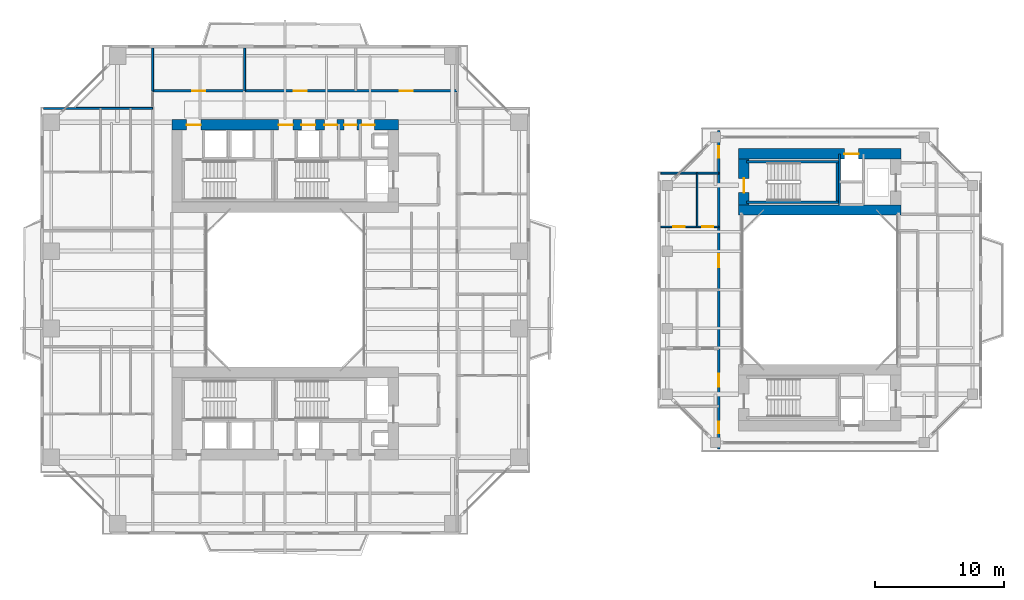
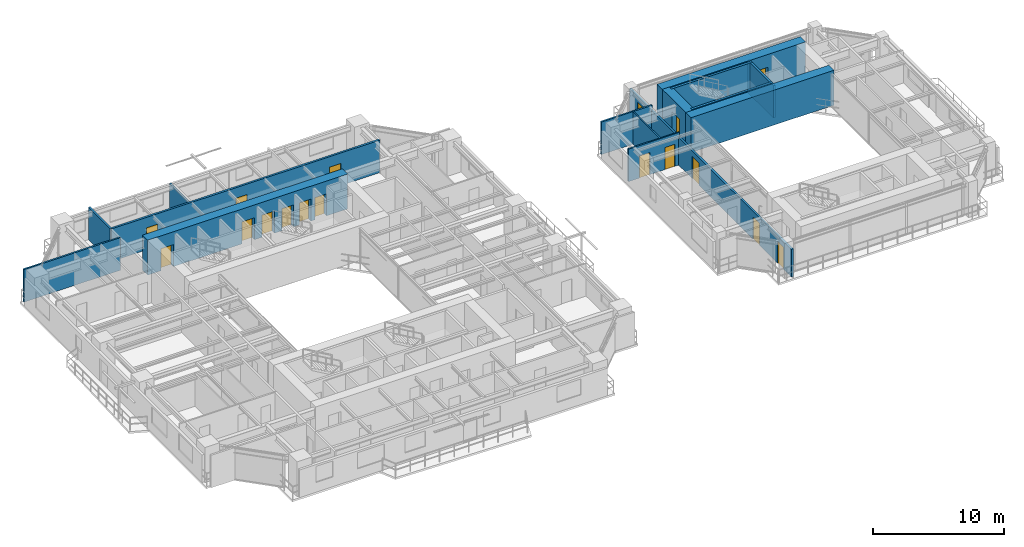
# One storey, part 16 of 23: 17 doors, 16 walls, 17 openings.
"""IFC4 building model written with IfcOpenShell, lengths in metres."""

from ifc_helpers import new_model, si_unit, direction, frame, frame_2d, origin, place, context, subcontext, project, spatial, rectangle, extrude, source, transform, mapped, material, layer, layer_set, type_object, element, fill, save


model = new_model("IFC4")

# Units and contexts
model_context = context("Model", 3, precision=1e-05, world=origin(), true_north=direction((0.0, 1.0)))
body_context = subcontext(model_context, "Body", "Model", "MODEL_VIEW")
ifc_project = project(units=[si_unit("LENGTHUNIT", "METRE"), si_unit("AREAUNIT", "SQUARE_METRE"), si_unit("VOLUMEUNIT", "CUBIC_METRE"), si_unit("PLANEANGLEUNIT", "RADIAN"), si_unit("MASSUNIT", "GRAM", prefix="KILO"), si_unit("THERMODYNAMICTEMPERATUREUNIT", "KELVIN"), si_unit("POWERUNIT", "WATT")], contexts=[model_context])

# Site, building, storey
site_placement = place(None, origin())
site = spatial("IfcSite", under=ifc_project, at=site_placement, CompositionType="ELEMENT")
building_placement = place(site_placement, origin())
building = spatial("IfcBuilding", under=site, at=building_placement, Name="Qiaomeng Ring Towers", CompositionType="ELEMENT")
storey_placement = place(building_placement, frame((0.0, 0.0, 89.25)))
storey = spatial("IfcBuildingStorey", under=building, at=storey_placement, Name="L25", CompositionType="ELEMENT", Elevation=89.25)

# Wall, openings, doors
ifc_material_1 = material(Name="Autoclaved aerated concrete block", Category="concrete")
ifc_layer_1 = layer(ifc_material_1, 0.179931640625, Name="Autoclaved aerated concrete block")
ifc_layer_set_1 = layer_set([ifc_layer_1], Name="Autoclaved aerated concrete block")
wall_type_1 = type_object("IfcWallType", Name="ARC-WL-PW2", PredefinedType="PARTITIONING", material=ifc_layer_set_1)
wall_1_placement = place(storey_placement, frame((8.719970703125, 38.43994140625, 0.0), z_axis=(0.0, 0.0, 1.0), x_axis=(1.0, 0.0, 0.0)))
wall_1 = element("IfcWall", 1, at=wall_1_placement, inside=storey, type_object=wall_type_1, Name="L25 Interior Wall PW2", PredefinedType="PARTITIONING", context=body_context, shape_type="SweptSolid", body=[
    extrude(rectangle(XDim=23.630126953125, YDim=0.179931640625, at=frame_2d((11.81494140625, 0.0))), origin(), (0.0, 0.0, 1.0), 3.030029296875),
])
opening_1_placement = place(wall_1_placement, frame((3.06494140625, 0.0, 0.0)))
opening_1 = element("IfcOpeningElement", 2, at=opening_1_placement, cuts=wall_1, Name="Opening FD4", PredefinedType="OPENING", context=body_context, shape_type="SweptSolid", body=[
    extrude(rectangle(XDim=1.0, YDim=2.050048828125, at=frame_2d((0.5, 1.02490234375))), frame((0.0, 0.099853515625, 0.0), z_axis=(0.0, -1.0, 0.0), x_axis=(1.0, 0.0, 0.0)), (0.0, 0.0, 1.0), 0.199951171875),
])
opening_2_placement = place(wall_1_placement, frame((10.93994140625, 0.0, 0.0)))
opening_2 = element("IfcOpeningElement", 3, at=opening_2_placement, cuts=wall_1, Name="Opening FD4", PredefinedType="OPENING", context=body_context, shape_type="SweptSolid", body=[
    extrude(rectangle(XDim=1.0, YDim=2.050048828125, at=frame_2d((0.5, 1.02490234375))), frame((0.0, 0.099853515625, 0.0), z_axis=(0.0, -1.0, 0.0), x_axis=(1.0, 0.0, 0.0)), (0.0, 0.0, 1.0), 0.199951171875),
])
opening_3_placement = place(wall_1_placement, frame((19.18994140625, 0.0, 0.0)))
opening_3 = element("IfcOpeningElement", 4, at=opening_3_placement, cuts=wall_1, Name="Opening FD4", PredefinedType="OPENING", context=body_context, shape_type="SweptSolid", body=[
    extrude(rectangle(XDim=1.0, YDim=2.050048828125, at=frame_2d((0.5, 1.02490234375))), frame((0.0, 0.099853515625, 0.0), z_axis=(0.0, -1.0, 0.0), x_axis=(1.0, 0.0, 0.0)), (0.0, 0.0, 1.0), 0.199951171875),
])
ifc_material_2 = material(Name="Engineered fire-rated oak timber", Category="wood")
door_type_1 = type_object("IfcDoorType", Name="ARC-DR-FD4", OperationType="NOTDEFINED", PredefinedType="DOOR", material=ifc_material_2)
shared_shape_1 = source(origin(), body_context, "Body", "SweptSolid", [
    extrude(rectangle(XDim=1.0, YDim=2.050048828125, at=frame_2d((0.5, 1.02490234375))), frame((0.0, 0.02490234375, 0.0), z_axis=(0.0, -1.0, 0.0), x_axis=(1.0, 0.0, 0.0)), (0.0, 0.0, 1.0), 0.050048828125),
])
door_1_placement = place(opening_1_placement, origin())
door_1 = element("IfcDoor", 5, at=door_1_placement, inside=storey, type_object=door_type_1, Name="L25 Door FD4", OperationType="SINGLE_SWING_LEFT", OverallHeight=2.050048828125, OverallWidth=1.0, PredefinedType="DOOR", context=body_context, shape_type="MappedRepresentation", body=[
    mapped(shared_shape_1, transform((0.0, 0.0, 0.0), x_axis=(1.0, 0.0, 0.0), y_axis=(0.0, 1.0, 0.0), z_axis=(0.0, 0.0, 1.0), scale=1.0)),
])
fill(opening_1, door_1)
door_2_placement = place(opening_2_placement, origin())
door_2 = element("IfcDoor", 6, at=door_2_placement, inside=storey, type_object=door_type_1, Name="L25 Door FD4", OperationType="SINGLE_SWING_RIGHT", OverallHeight=2.050048828125, OverallWidth=1.0, PredefinedType="DOOR", context=body_context, shape_type="MappedRepresentation", body=[
    mapped(shared_shape_1, transform((0.0, 0.0, 0.0), x_axis=(1.0, 0.0, 0.0), y_axis=(0.0, 1.0, 0.0), z_axis=(0.0, 0.0, 1.0), scale=1.0)),
])
fill(opening_2, door_2)
door_3_placement = place(opening_3_placement, origin())
door_3 = element("IfcDoor", 7, at=door_3_placement, inside=storey, type_object=door_type_1, Name="L25 Door FD4", OperationType="SINGLE_SWING_LEFT", OverallHeight=2.050048828125, OverallWidth=1.0, PredefinedType="DOOR", context=body_context, shape_type="MappedRepresentation", body=[
    mapped(shared_shape_1, transform((0.0, 0.0, 0.0), x_axis=(1.0, 0.0, 0.0), y_axis=(0.0, 1.0, 0.0), z_axis=(0.0, 0.0, 1.0), scale=1.0)),
])
fill(opening_3, door_3)

wall_2_placement = place(storey_placement, frame((52.64990234375, 10.64990234375, 0.0), z_axis=(0.0, 0.0, 1.0), x_axis=(0.0, 1.0, 0.0)))
wall_2 = element("IfcWall", 8, at=wall_2_placement, inside=storey, type_object=wall_type_1, Name="L25 Interior Wall PW2", PredefinedType="PARTITIONING", context=body_context, shape_type="SweptSolid", body=[
    extrude(rectangle(XDim=24.7001953125, YDim=0.179931640625, at=frame_2d((12.35009765625, 0.0))), origin(), (0.0, 0.0, 1.0), 2.574951171875),
])
opening_4_placement = place(wall_2_placement, frame((22.580078125, 0.0, 0.0)))
opening_4 = element("IfcOpeningElement", 9, at=opening_4_placement, cuts=wall_2, Name="Opening ID1", PredefinedType="OPENING", context=body_context, shape_type="SweptSolid", body=[
    extrude(rectangle(XDim=0.89990234375, YDim=2.050048828125, at=frame_2d((0.449951171875, 1.02490234375))), frame((0.0, 0.099853515625, 0.0), z_axis=(0.0, -1.0, 0.0), x_axis=(1.0, 0.0, 0.0)), (0.0, 0.0, 1.0), 0.199951171875),
])
opening_5_placement = place(wall_2_placement, frame((1.219970703125, 0.0, 0.0)))
opening_5 = element("IfcOpeningElement", 10, at=opening_5_placement, cuts=wall_2, Name="Opening ID1", PredefinedType="OPENING", context=body_context, shape_type="SweptSolid", body=[
    extrude(rectangle(XDim=0.89990234375, YDim=2.050048828125, at=frame_2d((0.449951171875, 1.02490234375))), frame((0.0, 0.099853515625, 0.0), z_axis=(0.0, -1.0, 0.0), x_axis=(1.0, 0.0, 0.0)), (0.0, 0.0, 1.0), 0.199951171875),
])
opening_6_placement = place(wall_2_placement, frame((4.844970703125, 0.0, 0.0)))
opening_6 = element("IfcOpeningElement", 11, at=opening_6_placement, cuts=wall_2, Name="Opening FD4", PredefinedType="OPENING", context=body_context, shape_type="SweptSolid", body=[
    extrude(rectangle(XDim=1.0, YDim=2.050048828125, at=frame_2d((0.5, 1.02490234375))), frame((0.0, 0.099853515625, 0.0), z_axis=(0.0, -1.0, 0.0), x_axis=(1.0, 0.0, 0.0)), (0.0, 0.0, 1.0), 0.199951171875),
])
opening_7_placement = place(wall_2_placement, frame((14.10498046875, 0.0, 0.0)))
opening_7 = element("IfcOpeningElement", 12, at=opening_7_placement, cuts=wall_2, Name="Opening FD4", PredefinedType="OPENING", context=body_context, shape_type="SweptSolid", body=[
    extrude(rectangle(XDim=1.0, YDim=2.050048828125, at=frame_2d((0.5, 1.02490234375))), frame((0.0, 0.099853515625, 0.0), z_axis=(0.0, -1.0, 0.0), x_axis=(1.0, 0.0, 0.0)), (0.0, 0.0, 1.0), 0.199951171875),
])
door_4_placement = place(opening_6_placement, origin())
door_4 = element("IfcDoor", 13, at=door_4_placement, inside=storey, type_object=door_type_1, Name="L25 Door FD4", OperationType="SINGLE_SWING_LEFT", OverallHeight=2.050048828125, OverallWidth=1.0, PredefinedType="DOOR", context=body_context, shape_type="MappedRepresentation", body=[
    mapped(shared_shape_1, transform((0.0, 0.0, 0.0), x_axis=(1.0, 0.0, 0.0), y_axis=(0.0, 1.0, 0.0), z_axis=(0.0, 0.0, 1.0), scale=1.0)),
])
fill(opening_6, door_4)
door_5_placement = place(opening_7_placement, origin())
door_5 = element("IfcDoor", 14, at=door_5_placement, inside=storey, type_object=door_type_1, Name="L25 Door FD4", OperationType="SINGLE_SWING_RIGHT", OverallHeight=2.050048828125, OverallWidth=1.0, PredefinedType="DOOR", context=body_context, shape_type="MappedRepresentation", body=[
    mapped(shared_shape_1, transform((0.0, 0.0, 0.0), x_axis=(1.0, 0.0, 0.0), y_axis=(0.0, 1.0, 0.0), z_axis=(0.0, 0.0, 1.0), scale=1.0)),
])
fill(opening_7, door_5)
ifc_material_3 = material(Name="Engineered oak timber", Category="wood")
door_type_2 = type_object("IfcDoorType", Name="ARC-DR-ID1", OperationType="NOTDEFINED", PredefinedType="DOOR", material=ifc_material_3)
shared_shape_2 = source(origin(), body_context, "Body", "SweptSolid", [
    extrude(rectangle(XDim=0.89990234375, YDim=2.050048828125, at=frame_2d((0.449951171875, 1.02490234375))), frame((0.0, 0.02490234375, 0.0), z_axis=(0.0, -1.0, 0.0), x_axis=(1.0, 0.0, 0.0)), (0.0, 0.0, 1.0), 0.050048828125),
])
door_6_placement = place(opening_4_placement, origin())
door_6 = element("IfcDoor", 15, at=door_6_placement, inside=storey, type_object=door_type_2, Name="L25 Door ID1", OperationType="SINGLE_SWING_LEFT", OverallHeight=2.050048828125, OverallWidth=0.89990234375, PredefinedType="DOOR", context=body_context, shape_type="MappedRepresentation", body=[
    mapped(shared_shape_2, transform((0.0, 0.0, 0.0), x_axis=(1.0, 0.0, 0.0), y_axis=(0.0, 1.0, 0.0), z_axis=(0.0, 0.0, 1.0), scale=1.0)),
])
fill(opening_4, door_6)
door_7_placement = place(opening_5_placement, origin())
door_7 = element("IfcDoor", 16, at=door_7_placement, inside=storey, type_object=door_type_2, Name="L25 Door ID1", OperationType="SINGLE_SWING_RIGHT", OverallHeight=2.050048828125, OverallWidth=0.89990234375, PredefinedType="DOOR", context=body_context, shape_type="MappedRepresentation", body=[
    mapped(shared_shape_2, transform((0.0, 0.0, 0.0), x_axis=(1.0, 0.0, 0.0), y_axis=(0.0, 1.0, 0.0), z_axis=(0.0, 0.0, 1.0), scale=1.0)),
])
fill(opening_5, door_7)

# Walls
ifc_material_4 = material(Name="Gypsum fireboard steel-stud partition", Category="steel")
ifc_layer_2 = layer(ifc_material_4, 0.14990234375, Name="Gypsum fireboard steel-stud partition")
ifc_layer_set_2 = layer_set([ifc_layer_2], Name="Gypsum fireboard steel-stud partition")
wall_type_2 = type_object("IfcWallType", Name="ARC-WL-PW3", PredefinedType="PARTITIONING", material=ifc_layer_set_2)
wall_3_placement = place(storey_placement, frame((15.85009765625, 38.43994140625, 0.0), z_axis=(0.0, 0.0, 1.0), x_axis=(0.0, 1.0, 0.0)))
element("IfcWall", 17, at=wall_3_placement, inside=storey, type_object=wall_type_2, Name="L25 Interior Wall PW3", PredefinedType="PARTITIONING", context=body_context, shape_type="SweptSolid", body=[
    extrude(rectangle(XDim=3.31005859375, YDim=0.14990234375, at=frame_2d((1.655029296875, 0.0))), origin(), (0.0, 0.0, 1.0), 2.72509765625),
])
wall_4_placement = place(storey_placement, frame((8.719970703125, 38.43994140625, 0.0), z_axis=(0.0, 0.0, 1.0), x_axis=(0.0, 1.0, 0.0)))
element("IfcWall", 18, at=wall_4_placement, inside=storey, type_object=wall_type_2, Name="L25 Interior Wall PW3", PredefinedType="PARTITIONING", context=body_context, shape_type="SweptSolid", body=[
    extrude(rectangle(XDim=3.31005859375, YDim=0.14990234375, at=frame_2d((1.655029296875, 0.0))), origin(), (0.0, 0.0, 1.0), 3.030029296875),
])
wall_5_placement = place(storey_placement, frame((0.25, 37.080078125, 0.0), z_axis=(0.0, 0.0, 1.0), x_axis=(1.0, 0.0, 0.0)))
element("IfcWall", 19, at=wall_5_placement, inside=storey, type_object=wall_type_2, Name="L25 Interior Wall PW3", PredefinedType="PARTITIONING", context=body_context, shape_type="SweptSolid", body=[
    extrude(rectangle(XDim=8.469970703125, YDim=0.14990234375, at=frame_2d((4.23486328125, 0.0))), origin(), (0.0, 0.0, 1.0), 3.030029296875),
])
wall_6_placement = place(storey_placement, frame((48.14990234375, 32.050048828125, 0.0), z_axis=(0.0, 0.0, 1.0), x_axis=(1.0, 0.0, 0.0)))
element("IfcWall", 20, at=wall_6_placement, inside=storey, type_object=wall_type_2, Name="L25 Interior Wall PW3", PredefinedType="PARTITIONING", context=body_context, shape_type="SweptSolid", body=[
    extrude(rectangle(XDim=4.5, YDim=0.14990234375, at=frame_2d((2.25, 0.0))), origin(), (0.0, 0.0, 1.0), 3.030029296875),
])

# Wall, openings, doors
ifc_material_5 = material(Name="Moisture-resistant gypsum steel-stud partition", Category="steel")
ifc_layer_3 = layer(ifc_material_5, 0.1201171875, Name="Moisture-resistant gypsum steel-stud partition")
ifc_layer_set_3 = layer_set([ifc_layer_3], Name="Moisture-resistant gypsum steel-stud partition")
wall_type_3 = type_object("IfcWallType", Name="ARC-WL-PW4", PredefinedType="PLUMBINGWALL", material=ifc_layer_set_3)
wall_7_placement = place(storey_placement, frame((48.14990234375, 27.889892578125, 0.0), z_axis=(0.0, 0.0, 1.0), x_axis=(1.0, 0.0, 0.0)))
wall_7 = element("IfcWall", 21, at=wall_7_placement, inside=storey, type_object=wall_type_3, Name="L25 Interior Wall PW4", PredefinedType="PLUMBINGWALL", context=body_context, shape_type="SweptSolid", body=[
    extrude(rectangle(XDim=4.5, YDim=0.1201171875, at=frame_2d((2.25, 0.0))), origin(), (0.0, 0.0, 1.0), 3.030029296875),
])
opening_8_placement = place(wall_7_placement, frame((0.97509765625, 0.0, 0.0)))
opening_8 = element("IfcOpeningElement", 22, at=opening_8_placement, cuts=wall_7, Name="Opening ID1", PredefinedType="OPENING", context=body_context, shape_type="SweptSolid", body=[
    extrude(rectangle(XDim=0.89990234375, YDim=2.050048828125, at=frame_2d((0.449951171875, 1.02490234375))), frame((0.0, 0.070068359375, 0.0), z_axis=(0.0, -1.0, 0.0), x_axis=(1.0, 0.0, 0.0)), (0.0, 0.0, 1.0), 0.14013671875),
])
opening_9_placement = place(wall_7_placement, frame((3.22998046875, 0.0, 0.0)))
opening_9 = element("IfcOpeningElement", 23, at=opening_9_placement, cuts=wall_7, Name="Opening ID2", PredefinedType="OPENING", context=body_context, shape_type="SweptSolid", body=[
    extrude(rectangle(XDim=0.85009765625, YDim=2.050048828125, at=frame_2d((0.425048828125, 1.02490234375))), frame((0.0, 0.070068359375, 0.0), z_axis=(0.0, -1.0, 0.0), x_axis=(1.0, 0.0, 0.0)), (0.0, 0.0, 1.0), 0.14013671875),
])
ifc_material_6 = material(Name="Moisture-resistant engineered timber", Category="wood")
door_type_3 = type_object("IfcDoorType", Name="ARC-DR-ID2", OperationType="NOTDEFINED", PredefinedType="DOOR", material=ifc_material_6)
shared_shape_3 = source(origin(), body_context, "Body", "SweptSolid", [
    extrude(rectangle(XDim=0.85009765625, YDim=2.050048828125, at=frame_2d((0.425048828125, 1.02490234375))), frame((0.0, 0.02490234375, 0.0), z_axis=(0.0, -1.0, 0.0), x_axis=(1.0, 0.0, 0.0)), (0.0, 0.0, 1.0), 0.050048828125),
])
door_8_placement = place(opening_9_placement, origin())
door_8 = element("IfcDoor", 24, at=door_8_placement, inside=storey, type_object=door_type_3, Name="L25 Door ID2", OperationType="SINGLE_SWING_RIGHT", OverallHeight=2.050048828125, OverallWidth=0.85009765625, PredefinedType="DOOR", context=body_context, shape_type="MappedRepresentation", body=[
    mapped(shared_shape_3, transform((0.0, 0.0, 0.0), x_axis=(1.0, 0.0, 0.0), y_axis=(0.0, 1.0, 0.0), z_axis=(0.0, 0.0, 1.0), scale=1.0)),
])
fill(opening_9, door_8)
door_9_placement = place(opening_8_placement, origin())
door_9 = element("IfcDoor", 25, at=door_9_placement, inside=storey, type_object=door_type_2, Name="L25 Door ID1", OperationType="SINGLE_SWING_LEFT", OverallHeight=2.050048828125, OverallWidth=0.89990234375, PredefinedType="DOOR", context=body_context, shape_type="MappedRepresentation", body=[
    mapped(shared_shape_2, transform((0.0, 0.0, 0.0), x_axis=(1.0, 0.0, 0.0), y_axis=(0.0, 1.0, 0.0), z_axis=(0.0, 0.0, 1.0), scale=1.0)),
])
fill(opening_8, door_9)

# Walls
wall_8_placement = place(storey_placement, frame((50.97998046875, 27.889892578125, 0.0), z_axis=(0.0, 0.0, 1.0), x_axis=(0.0, 1.0, 0.0)))
element("IfcWall", 26, at=wall_8_placement, inside=storey, type_object=wall_type_3, Name="L25 Interior Wall PW4", PredefinedType="PLUMBINGWALL", context=body_context, shape_type="SweptSolid", body=[
    extrude(rectangle(XDim=4.16015625, YDim=0.1201171875, at=frame_2d((2.080078125, 0.0))), origin(), (0.0, 0.0, 1.0), 3.030029296875),
])
ifc_material_7 = material(Name="Concrete C40", Category="concrete")
ifc_layer_4 = layer(ifc_material_7, 0.199951171875, Name="Concrete C40")
ifc_layer_set_4 = layer_set([ifc_layer_4], Name="Concrete C40")
wall_type_4 = type_object("IfcWallType", Name="STR-WL-STSHAFT", PredefinedType="SHEAR", material=ifc_layer_set_4)
wall_9_placement = place(storey_placement, frame((62.02001953125, 29.60009765625, 0.0), z_axis=(0.0, 0.0, 1.0), x_axis=(0.0, 1.0, 0.0)))
element("IfcWall", 27, at=wall_9_placement, inside=storey, type_object=wall_type_4, Name="L25 Companion Lift Shaft West Wall N", PredefinedType="SHEAR", context=body_context, shape_type="SweptSolid", body=[
    extrude(rectangle(XDim=3.949951171875, YDim=0.179931640625, at=frame_2d((1.97509765625, 0.0))), origin(), (0.0, 0.0, 1.0), 3.030029296875),
])
for number, where, z_axis, x_axis, name in (
    (28, (54.800048828125, 29.800048828125, 0.0), (0.0, 0.0, 1.0), (1.0, 0.0, 0.0), "L25 Stair ST5 South Shaft Shear Wall"),
    (29, (54.800048828125, 32.93994140625, 0.0), (0.0, 0.0, 1.0), (1.0, 0.0, 0.0), "L25 Stair ST5 North Shaft Shear Wall"),
):
    element("IfcWall", number, at=place(storey_placement, frame(where, z_axis=z_axis, x_axis=x_axis)), inside=storey, type_object=wall_type_4, Name=name, PredefinedType="SHEAR", context=body_context, shape_type="SweptSolid", body=[
        extrude(rectangle(XDim=7.14990234375, YDim=0.199951171875, at=frame_2d((3.574951171875, 0.0))), origin(), (0.0, 0.0, 1.0), 3.25),
    ])
wall_10_placement = place(storey_placement, frame((61.85009765625, 29.89990234375, 0.0), z_axis=(0.0, 0.0, 1.0), x_axis=(0.0, 1.0, 0.0)))
element("IfcWall", 30, at=wall_10_placement, inside=storey, type_object=wall_type_4, Name="L25 Stair ST5 East Shaft Shear Wall", PredefinedType="SHEAR", context=body_context, shape_type="SweptSolid", body=[
    extrude(rectangle(XDim=2.940185546875, YDim=0.199951171875, at=frame_2d((1.47021484375, 0.0))), origin(), (0.0, 0.0, 1.0), 3.25),
])

# Wall, openings, doors
ifc_material_8 = material(Name="Concrete C60", Category="concrete")
ifc_layer_5 = layer(ifc_material_8, 0.800048828125, Name="Concrete C60")
ifc_layer_set_5 = layer_set([ifc_layer_5], Name="Concrete C60")
wall_type_5 = type_object("IfcWallType", Name="STR-WL-SW1", PredefinedType="SHEAR", material=ifc_layer_set_5)
wall_11_placement = place(storey_placement, frame((10.199951171875, 35.800048828125, 0.0), z_axis=(0.0, 0.0, 1.0), x_axis=(1.0, 0.0, 0.0)))
wall_11 = element("IfcWall", 31, at=wall_11_placement, inside=storey, type_object=wall_type_5, Name="L25 T1NC north core shear wall", PredefinedType="SHEAR", context=body_context, shape_type="SweptSolid", body=[
    extrude(rectangle(XDim=17.60009765625, YDim=0.800048828125, at=frame_2d((8.800048828125, 0.0))), origin(), (0.0, 0.0, 1.0), 3.25),
])
opening_10_placement = place(wall_11_placement, frame((1.14990234375, 0.0, 0.0)))
opening_10 = element("IfcOpeningElement", 32, at=opening_10_placement, cuts=wall_11, Name="Opening FD3", PredefinedType="OPENING", context=body_context, shape_type="SweptSolid", body=[
    extrude(rectangle(XDim=1.10009765625, YDim=2.050048828125, at=frame_2d((0.550048828125, 1.02490234375))), frame((0.0, 0.409912109375, 0.0), z_axis=(0.0, -1.0, 0.0), x_axis=(1.0, 0.0, 0.0)), (0.0, 0.0, 1.0), 0.820068359375),
])
opening_11_placement = place(wall_11_placement, frame((8.300048828125, 0.0, 0.0)))
opening_11 = element("IfcOpeningElement", 33, at=opening_11_placement, cuts=wall_11, Name="Opening FD3", PredefinedType="OPENING", context=body_context, shape_type="SweptSolid", body=[
    extrude(rectangle(XDim=1.10009765625, YDim=2.050048828125, at=frame_2d((0.550048828125, 1.02490234375))), frame((0.0, 0.409912109375, 0.0), z_axis=(0.0, -1.0, 0.0), x_axis=(1.0, 0.0, 0.0)), (0.0, 0.0, 1.0), 0.820068359375),
])
opening_12_placement = place(wall_11_placement, frame((10.050048828125, 0.0, 0.0)))
opening_12 = element("IfcOpeningElement", 34, at=opening_12_placement, cuts=wall_11, Name="Opening LD1", PredefinedType="OPENING", context=body_context, shape_type="SweptSolid", body=[
    extrude(rectangle(XDim=1.10009765625, YDim=2.050048828125, at=frame_2d((0.550048828125, 1.02490234375))), frame((0.0, 0.409912109375, 0.0), z_axis=(0.0, -1.0, 0.0), x_axis=(1.0, 0.0, 0.0)), (0.0, 0.0, 1.0), 0.820068359375),
])
opening_13_placement = place(wall_11_placement, frame((14.739990234375, 0.0, 0.0)))
opening_13 = element("IfcOpeningElement", 35, at=opening_13_placement, cuts=wall_11, Name="Opening FD1", PredefinedType="OPENING", context=body_context, shape_type="SweptSolid", body=[
    extrude(rectangle(XDim=1.0, YDim=2.050048828125, at=frame_2d((0.5, 1.02490234375))), frame((0.0, 0.409912109375, 0.0), z_axis=(0.0, -1.0, 0.0), x_axis=(1.0, 0.0, 0.0)), (0.0, 0.0, 1.0), 0.820068359375),
])
opening_14_placement = place(wall_11_placement, frame((11.8349609375, 0.0, 0.0)))
opening_14 = element("IfcOpeningElement", 36, at=opening_14_placement, cuts=wall_11, Name="Opening FD1", PredefinedType="OPENING", context=body_context, shape_type="SweptSolid", body=[
    extrude(rectangle(XDim=1.0, YDim=2.050048828125, at=frame_2d((0.5, 1.02490234375))), frame((0.0, 0.409912109375, 0.0), z_axis=(0.0, -1.0, 0.0), x_axis=(1.0, 0.0, 0.0)), (0.0, 0.0, 1.0), 0.820068359375),
])
opening_15_placement = place(wall_11_placement, frame((13.3701171875, 0.0, 0.0)))
opening_15 = element("IfcOpeningElement", 37, at=opening_15_placement, cuts=wall_11, Name="Opening FD1", PredefinedType="OPENING", context=body_context, shape_type="SweptSolid", body=[
    extrude(rectangle(XDim=1.0, YDim=2.050048828125, at=frame_2d((0.5, 1.02490234375))), frame((0.0, 0.409912109375, 0.0), z_axis=(0.0, -1.0, 0.0), x_axis=(1.0, 0.0, 0.0)), (0.0, 0.0, 1.0), 0.820068359375),
])
ifc_material_9 = material(Name="Galvanised steel", Category="steel")
door_type_4 = type_object("IfcDoorType", Name="ARC-DR-FD3", OperationType="NOTDEFINED", PredefinedType="DOOR", material=ifc_material_9)
shared_shape_4 = source(origin(), body_context, "Body", "SweptSolid", [
    extrude(rectangle(XDim=1.10009765625, YDim=2.050048828125, at=frame_2d((0.550048828125, 1.02490234375))), frame((0.0, 0.02490234375, 0.0), z_axis=(0.0, -1.0, 0.0), x_axis=(1.0, 0.0, 0.0)), (0.0, 0.0, 1.0), 0.050048828125),
])
door_10_placement = place(opening_10_placement, origin())
door_10 = element("IfcDoor", 38, at=door_10_placement, inside=storey, type_object=door_type_4, Name="L25 Stair ST1 Lobby Door", OperationType="SINGLE_SWING_RIGHT", OverallHeight=2.050048828125, OverallWidth=1.10009765625, PredefinedType="DOOR", context=body_context, shape_type="MappedRepresentation", body=[
    mapped(shared_shape_4, transform((0.0, 0.0, 0.0), x_axis=(1.0, 0.0, 0.0), y_axis=(0.0, 1.0, 0.0), z_axis=(0.0, 0.0, 1.0), scale=1.0)),
])
fill(opening_10, door_10)
door_11_placement = place(opening_11_placement, origin())
door_11 = element("IfcDoor", 39, at=door_11_placement, inside=storey, type_object=door_type_4, Name="L25 Stair ST2 Lobby Door", OperationType="SINGLE_SWING_RIGHT", OverallHeight=2.050048828125, OverallWidth=1.10009765625, PredefinedType="DOOR", context=body_context, shape_type="MappedRepresentation", body=[
    mapped(shared_shape_4, transform((0.0, 0.0, 0.0), x_axis=(1.0, 0.0, 0.0), y_axis=(0.0, 1.0, 0.0), z_axis=(0.0, 0.0, 1.0), scale=1.0)),
])
fill(opening_11, door_11)
ifc_material_10 = material(Name="Stainless steel 316", Category="steel")
door_type_5 = type_object("IfcDoorType", Name="ARC-DR-LD1", OperationType="NOTDEFINED", PredefinedType="DOOR", material=ifc_material_10)
door_12_placement = place(opening_12_placement, origin())
door_12 = element("IfcDoor", 40, at=door_12_placement, inside=storey, type_object=door_type_5, Name="L25 Low-Zone Lift LP1 Landing Door", OperationType="SLIDING_TO_LEFT", OverallHeight=2.050048828125, OverallWidth=1.10009765625, PredefinedType="DOOR", context=body_context, shape_type="MappedRepresentation", body=[
    mapped(shared_shape_4, transform((0.0, 0.0, 0.0), x_axis=(1.0, 0.0, 0.0), y_axis=(0.0, 1.0, 0.0), z_axis=(0.0, 0.0, 1.0), scale=1.0)),
])
fill(opening_12, door_12)
door_type_6 = type_object("IfcDoorType", Name="ARC-DR-FD1", OperationType="NOTDEFINED", PredefinedType="DOOR", material=ifc_material_9)
door_13_placement = place(opening_13_placement, origin())
door_13 = element("IfcDoor", 41, at=door_13_placement, inside=storey, type_object=door_type_6, Name="L25 North Electrical Riser Door", OperationType="SINGLE_SWING_RIGHT", OverallHeight=2.050048828125, OverallWidth=1.0, PredefinedType="DOOR", context=body_context, shape_type="MappedRepresentation", body=[
    mapped(shared_shape_1, transform((0.0, 0.0, 0.0), x_axis=(1.0, 0.0, 0.0), y_axis=(0.0, 1.0, 0.0), z_axis=(0.0, 0.0, 1.0), scale=1.0)),
])
fill(opening_13, door_13)
door_14_placement = place(opening_14_placement, origin())
door_14 = element("IfcDoor", 42, at=door_14_placement, inside=storey, type_object=door_type_6, Name="L25 North Cleaners Store Door", OperationType="SINGLE_SWING_RIGHT", OverallHeight=2.050048828125, OverallWidth=1.0, PredefinedType="DOOR", context=body_context, shape_type="MappedRepresentation", body=[
    mapped(shared_shape_1, transform((0.0, 0.0, 0.0), x_axis=(1.0, 0.0, 0.0), y_axis=(0.0, 1.0, 0.0), z_axis=(0.0, 0.0, 1.0), scale=1.0)),
])
fill(opening_14, door_14)
door_15_placement = place(opening_15_placement, origin())
door_15 = element("IfcDoor", 43, at=door_15_placement, inside=storey, type_object=door_type_6, Name="L25 North Beverage Pantry Door", OperationType="SINGLE_SWING_LEFT", OverallHeight=2.050048828125, OverallWidth=1.0, PredefinedType="DOOR", context=body_context, shape_type="MappedRepresentation", body=[
    mapped(shared_shape_1, transform((0.0, 0.0, 0.0), x_axis=(1.0, 0.0, 0.0), y_axis=(0.0, 1.0, 0.0), z_axis=(0.0, 0.0, 1.0), scale=1.0)),
])
fill(opening_15, door_15)

# Wall
wall_12_placement = place(storey_placement, frame((54.199951171875, 29.199951171875, 0.0), z_axis=(0.0, 0.0, 1.0), x_axis=(1.0, 0.0, 0.0)))
element("IfcWall", 44, at=wall_12_placement, inside=storey, type_object=wall_type_5, Name="L25 T2NC south core shear wall", PredefinedType="SHEAR", context=body_context, shape_type="SweptSolid", body=[
    extrude(rectangle(XDim=12.60009765625, YDim=0.800048828125, at=frame_2d((6.300048828125, 0.0))), origin(), (0.0, 0.0, 1.0), 3.25),
])

# Wall, opening, door
wall_13_placement = place(storey_placement, frame((54.199951171875, 33.550048828125, 0.0), z_axis=(0.0, 0.0, 1.0), x_axis=(1.0, 0.0, 0.0)))
wall_13 = element("IfcWall", 45, at=wall_13_placement, inside=storey, type_object=wall_type_5, Name="L25 T2NC north core shear wall", PredefinedType="SHEAR", context=body_context, shape_type="SweptSolid", body=[
    extrude(rectangle(XDim=12.60009765625, YDim=0.800048828125, at=frame_2d((6.300048828125, 0.0))), origin(), (0.0, 0.0, 1.0), 3.25),
])
opening_16_placement = place(wall_13_placement, frame((8.199951171875, 0.0, 0.0)))
opening_16 = element("IfcOpeningElement", 46, at=opening_16_placement, cuts=wall_13, Name="Opening LD1", PredefinedType="OPENING", context=body_context, shape_type="SweptSolid", body=[
    extrude(rectangle(XDim=1.10009765625, YDim=2.050048828125, at=frame_2d((0.550048828125, 1.02490234375))), frame((0.0, 0.409912109375, 0.0), z_axis=(0.0, -1.0, 0.0), x_axis=(1.0, 0.0, 0.0)), (0.0, 0.0, 1.0), 0.820068359375),
])
door_16_placement = place(opening_16_placement, origin())
door_16 = element("IfcDoor", 47, at=door_16_placement, inside=storey, type_object=door_type_5, Name="L25 Companion Lift LP7 Landing Door", OperationType="SLIDING_TO_LEFT", OverallHeight=2.050048828125, OverallWidth=1.10009765625, PredefinedType="DOOR", context=body_context, shape_type="MappedRepresentation", body=[
    mapped(shared_shape_4, transform((0.0, 0.0, 0.0), x_axis=(1.0, 0.0, 0.0), y_axis=(0.0, 1.0, 0.0), z_axis=(0.0, 0.0, 1.0), scale=1.0)),
])
fill(opening_16, door_16)

wall_14_placement = place(storey_placement, frame((54.60009765625, 29.60009765625, 0.0), z_axis=(0.0, 0.0, 1.0), x_axis=(0.0, 1.0, 0.0)))
wall_14 = element("IfcWall", 48, at=wall_14_placement, inside=storey, type_object=wall_type_5, Name="L25 T2NC west core shear wall", PredefinedType="SHEAR", context=body_context, shape_type="SweptSolid", body=[
    extrude(rectangle(XDim=3.5498046875, YDim=0.800048828125, at=frame_2d((1.77490234375, 0.0))), origin(), (0.0, 0.0, 1.0), 3.25),
])
opening_17_placement = place(wall_14_placement, frame((0.949951171875, 0.0, 0.0)))
opening_17 = element("IfcOpeningElement", 49, at=opening_17_placement, cuts=wall_14, Name="Opening FD3", PredefinedType="OPENING", context=body_context, shape_type="SweptSolid", body=[
    extrude(rectangle(XDim=1.10009765625, YDim=2.050048828125, at=frame_2d((0.550048828125, 1.02490234375))), frame((0.0, 0.409912109375, 0.0), z_axis=(0.0, -1.0, 0.0), x_axis=(1.0, 0.0, 0.0)), (0.0, 0.0, 1.0), 0.820068359375),
])
door_17_placement = place(opening_17_placement, origin())
door_17 = element("IfcDoor", 50, at=door_17_placement, inside=storey, type_object=door_type_4, Name="L25 Stair ST5 Exit Door", OperationType="SINGLE_SWING_RIGHT", OverallHeight=2.050048828125, OverallWidth=1.10009765625, PredefinedType="DOOR", context=body_context, shape_type="MappedRepresentation", body=[
    mapped(shared_shape_4, transform((0.0, 0.0, 0.0), x_axis=(1.0, 0.0, 0.0), y_axis=(0.0, 1.0, 0.0), z_axis=(0.0, 0.0, 1.0), scale=1.0)),
])
fill(opening_17, door_17)

save(model, "model.ifc")
